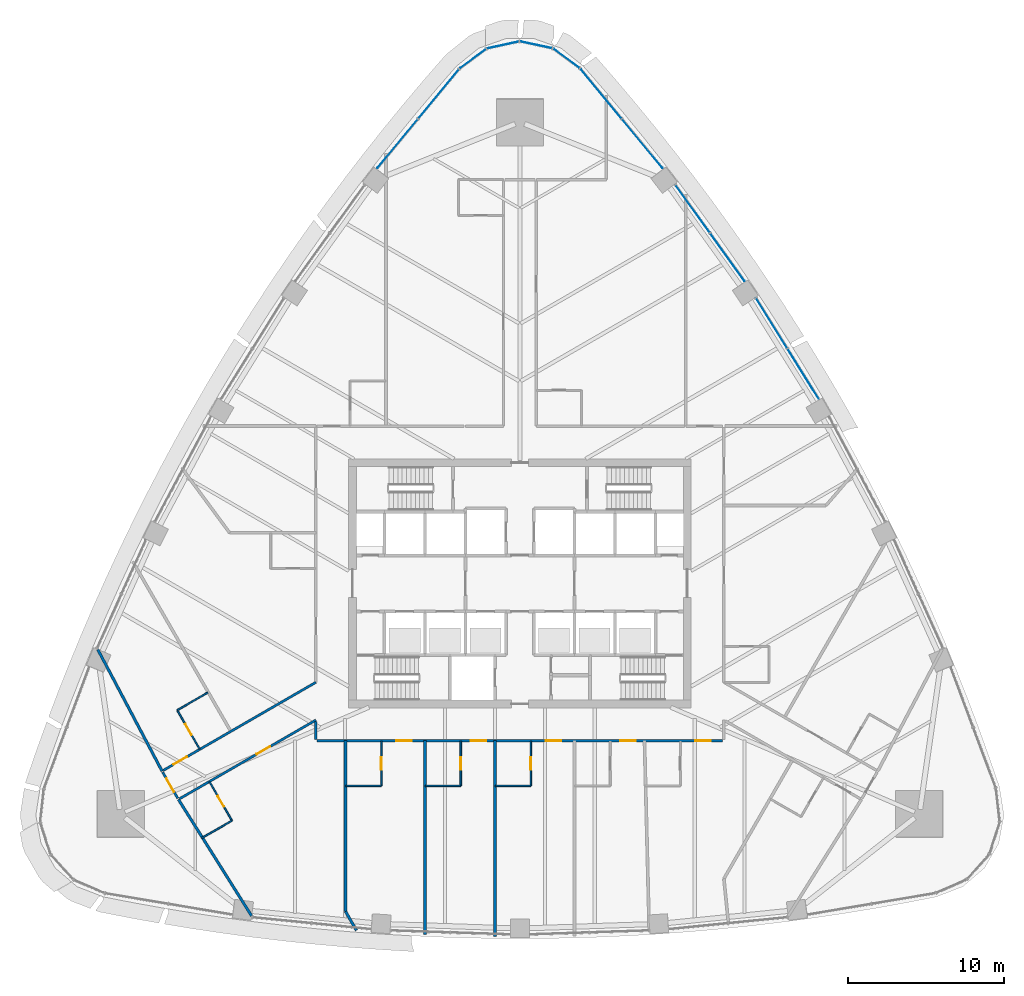
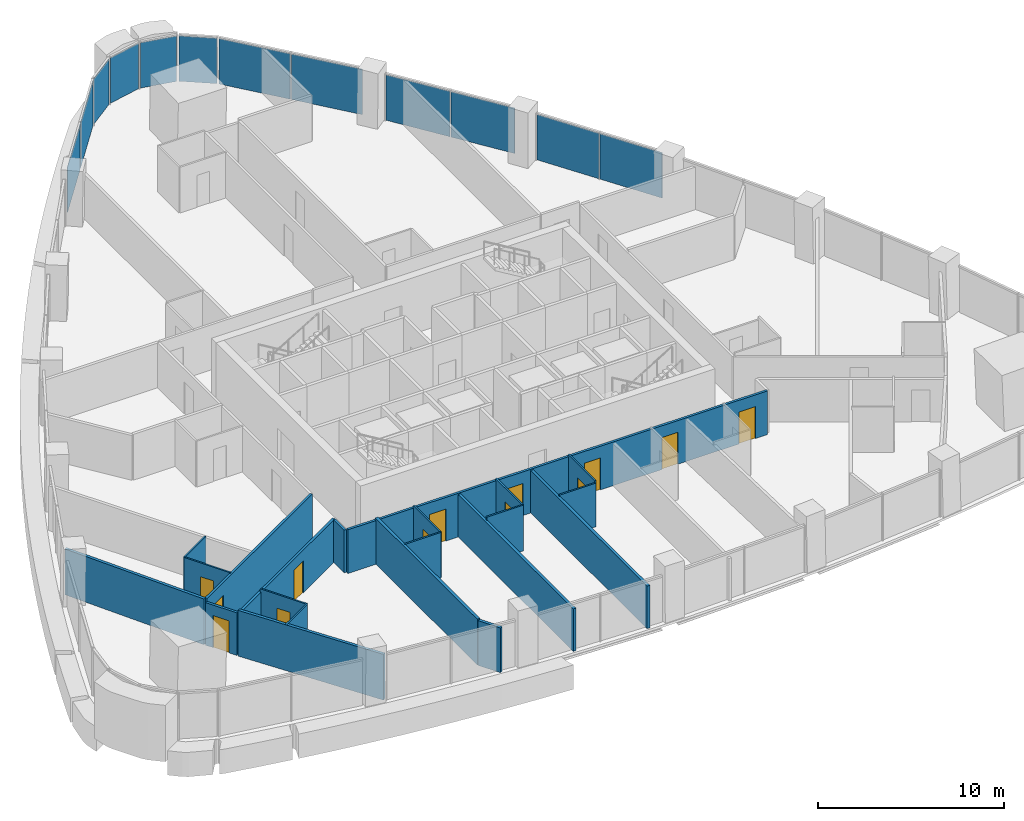
# One storey, part 9 of 17: 21 walls, 13 doors, 12 plates, 13 openings, 8 elements without a shape of their own.
"""IFC4 building model written with IfcOpenShell, lengths in metres."""

from ifc_helpers import new_model, si_unit, direction, frame, frame_2d, origin, origin_2d, place, context, subcontext, project, spatial, rectangle, extrude, material, layer, layer_set, type_object, element, fill, aggregate, save


model = new_model("IFC4")

# Units and contexts
model_context = context("Model", 3, precision=1e-05, world=origin(), true_north=direction((0.0, 1.0)))
body_context = subcontext(model_context, "Body", "Model", "MODEL_VIEW")
ifc_project = project(units=[si_unit("LENGTHUNIT", "METRE"), si_unit("AREAUNIT", "SQUARE_METRE"), si_unit("VOLUMEUNIT", "CUBIC_METRE"), si_unit("PLANEANGLEUNIT", "RADIAN"), si_unit("MASSUNIT", "GRAM", prefix="KILO")], contexts=[model_context])

# Site, building, storey
site_placement = place(None, origin())
site = spatial("IfcSite", under=ifc_project, at=site_placement, CompositionType="ELEMENT")
building_placement = place(site_placement, origin())
building = spatial("IfcBuilding", under=site, at=building_placement, Name="Sierra Prisma Convention Tower", CompositionType="ELEMENT")
storey_placement = place(building_placement, frame((0.0, 0.0, 99.800048828125)))
storey = spatial("IfcBuildingStorey", under=building, at=storey_placement, Name="L21", CompositionType="ELEMENT", Elevation=99.800048828125)

# Curtain wall, plates
ifc_material_1 = material(Name="Aluminium and glass curtain wall", Category="aluminium")
ifc_layer_1 = layer(ifc_material_1, 0.179931640625)
ifc_layer_set_1 = layer_set([ifc_layer_1], Name="CW-1 Plain shaft curtain wall")
curtain_wall_type = type_object("IfcCurtainWallType", Name="CW-1 Plain shaft curtain wall", PredefinedType="NOTDEFINED", material=ifc_layer_set_1)
curtain_wall_1_placement = place(storey_placement, origin())
curtain_wall_1 = element("IfcCurtainWall", 1, at=curtain_wall_1_placement, inside=storey, type_object=curtain_wall_type, Name="CW-1 NE4 L21", PredefinedType="NOTDEFINED")
ifc_material_2 = material(Name="Tinted glass bronze-grey IGU", Category="glass")
ifc_layer_2 = layer(ifc_material_2, 0.028076171875)
ifc_layer_set_2 = layer_set([ifc_layer_2], Name="CW-1 glass panel")
plate_type = type_object("IfcPlateType", Name="CW-1 glass panel", PredefinedType="CURTAIN_PANEL", material=ifc_layer_set_2)
plate_1_placement = place(storey_placement, frame((18.19189453125, 13.44921875, 0.0), z_axis=(0.0, 0.0, 1.0), x_axis=(-0.528549548722, 0.848902452904, 0.0)))
plate_1 = element("IfcPlate", 2, at=plate_1_placement, type_object=plate_type, Name="CW-1 panel NE4.1", PredefinedType="CURTAIN_PANEL", context=body_context, shape_type="SweptSolid", body=[
    extrude(rectangle(XDim=3.765380859375, YDim=0.028076171875, at=origin_2d()), origin(), (0.0, 0.0, 1.0), 2.97998046875),
])
plate_2_placement = place(storey_placement, frame((16.164794921875, 16.705078125, 0.0), z_axis=(0.0, 0.0, 1.0), x_axis=(-0.528549548722, 0.848902452904, 0.0)))
plate_2 = element("IfcPlate", 3, at=plate_2_placement, type_object=plate_type, Name="CW-1 panel NE4.2", PredefinedType="CURTAIN_PANEL", context=body_context, shape_type="SweptSolid", body=[
    extrude(rectangle(XDim=3.765380859375, YDim=0.028076171875, at=origin_2d()), origin(), (0.0, 0.0, 1.0), 2.97998046875),
])
aggregate(curtain_wall_1, [plate_1, plate_2])

curtain_wall_2_placement = place(storey_placement, origin())
curtain_wall_2 = element("IfcCurtainWall", 4, at=curtain_wall_2_placement, inside=storey, type_object=curtain_wall_type, Name="CW-1 NE5 L21", PredefinedType="NOTDEFINED")
plate_3_placement = place(storey_placement, frame((13.322998046875, 20.948974609375, 0.0), z_axis=(0.0, 0.0, 1.0), x_axis=(-0.583860324401, 0.811854125808, 0.0)))
plate_3 = element("IfcPlate", 5, at=plate_3_placement, type_object=plate_type, Name="CW-1 panel NE5.1", PredefinedType="CURTAIN_PANEL", context=body_context, shape_type="SweptSolid", body=[
    extrude(rectangle(XDim=3.75, YDim=0.028076171875, at=origin_2d()), origin(), (0.0, 0.0, 1.0), 2.97998046875),
])
plate_4_placement = place(storey_placement, frame((11.0927734375, 24.050048828125, 0.0), z_axis=(0.0, 0.0, 1.0), x_axis=(-0.583860324401, 0.811854125808, 0.0)))
plate_4 = element("IfcPlate", 6, at=plate_4_placement, type_object=plate_type, Name="CW-1 panel NE5.2", PredefinedType="CURTAIN_PANEL", context=body_context, shape_type="SweptSolid", body=[
    extrude(rectangle(XDim=3.75, YDim=0.028076171875, at=origin_2d()), origin(), (0.0, 0.0, 1.0), 2.97998046875),
])
aggregate(curtain_wall_2, [plate_3, plate_4])

curtain_wall_3_placement = place(storey_placement, origin())
curtain_wall_3 = element("IfcCurtainWall", 7, at=curtain_wall_3_placement, inside=storey, type_object=curtain_wall_type, Name="CW-1 NE6 L21", PredefinedType="NOTDEFINED")
plate_5_placement = place(storey_placement, frame((7.85888671875, 28.23828125, 0.0), z_axis=(0.0, 0.0, 1.0), x_axis=(-0.636583512601, 0.771207774523, 0.0)))
plate_5 = element("IfcPlate", 8, at=plate_5_placement, type_object=plate_type, Name="CW-1 panel NE6.1", PredefinedType="CURTAIN_PANEL", context=body_context, shape_type="SweptSolid", body=[
    extrude(rectangle(XDim=4.07177734375, YDim=0.028076171875, at=origin_2d()), origin(), (0.0, 0.0, 1.0), 2.97998046875),
])
plate_6_placement = place(storey_placement, frame((5.222412109375, 31.432373046875, 0.0), z_axis=(0.0, 0.0, 1.0), x_axis=(-0.636583512601, 0.771207774523, 0.0)))
plate_6 = element("IfcPlate", 9, at=plate_6_placement, type_object=plate_type, Name="CW-1 panel NE6.2", PredefinedType="CURTAIN_PANEL", context=body_context, shape_type="SweptSolid", body=[
    extrude(rectangle(XDim=4.07177734375, YDim=0.028076171875, at=origin_2d()), origin(), (0.0, 0.0, 1.0), 2.97998046875),
])
aggregate(curtain_wall_3, [plate_5, plate_6])

# Curtain wall, plate
curtain_wall_4_placement = place(storey_placement, origin())
curtain_wall_4 = element("IfcCurtainWall", 10, at=curtain_wall_4_placement, inside=storey, type_object=curtain_wall_type, Name="CW-1 N1 L21", PredefinedType="NOTDEFINED")
plate_7_placement = place(storey_placement, frame((3.005615234375, 33.702880859375, 0.0), z_axis=(0.0, 0.0, 1.0), x_axis=(-0.804725740037, 0.593646766455, 0.0)))
plate_7 = element("IfcPlate", 11, at=plate_7_placement, type_object=plate_type, Name="CW-1 panel N1.1", PredefinedType="CURTAIN_PANEL", context=body_context, shape_type="SweptSolid", body=[
    extrude(rectangle(XDim=2.037841796875, YDim=0.028076171875, at=origin_2d()), origin(), (0.0, 0.0, 1.0), 2.97998046875),
])
aggregate(curtain_wall_4, [plate_7])

curtain_wall_5_placement = place(storey_placement, origin())
curtain_wall_5 = element("IfcCurtainWall", 12, at=curtain_wall_5_placement, inside=storey, type_object=curtain_wall_type, Name="CW-1 N2 L21", PredefinedType="NOTDEFINED")
plate_8_placement = place(storey_placement, frame((1.064697265625, 34.578369140625, 0.0), z_axis=(0.0, 0.0, 1.0), x_axis=(-0.977641277793, 0.210279651786, 0.0)))
plate_8 = element("IfcPlate", 13, at=plate_8_placement, type_object=plate_type, Name="CW-1 panel N2.1", PredefinedType="CURTAIN_PANEL", context=body_context, shape_type="SweptSolid", body=[
    extrude(rectangle(XDim=2.037841796875, YDim=0.028076171875, at=origin_2d()), origin(), (0.0, 0.0, 1.0), 2.97998046875),
])
aggregate(curtain_wall_5, [plate_8])

curtain_wall_6_placement = place(storey_placement, origin())
curtain_wall_6 = element("IfcCurtainWall", 14, at=curtain_wall_6_placement, inside=storey, type_object=curtain_wall_type, Name="CW-1 N3 L21", PredefinedType="NOTDEFINED")
plate_9_placement = place(storey_placement, frame((-1.064697265625, 34.578369140625, 0.0), z_axis=(0.0, 0.0, 1.0), x_axis=(-0.977641277793, -0.210279651786, 0.0)))
plate_9 = element("IfcPlate", 15, at=plate_9_placement, type_object=plate_type, Name="CW-1 panel N3.1", PredefinedType="CURTAIN_PANEL", context=body_context, shape_type="SweptSolid", body=[
    extrude(rectangle(XDim=2.037841796875, YDim=0.028076171875, at=origin_2d()), origin(), (0.0, 0.0, 1.0), 2.97998046875),
])
aggregate(curtain_wall_6, [plate_9])

curtain_wall_7_placement = place(storey_placement, origin())
curtain_wall_7 = element("IfcCurtainWall", 16, at=curtain_wall_7_placement, inside=storey, type_object=curtain_wall_type, Name="CW-1 N4 L21", PredefinedType="NOTDEFINED")
plate_10_placement = place(storey_placement, frame((-3.005615234375, 33.702880859375, 0.0), z_axis=(0.0, 0.0, 1.0), x_axis=(-0.804725740037, -0.593646766455, 0.0)))
plate_10 = element("IfcPlate", 17, at=plate_10_placement, type_object=plate_type, Name="CW-1 panel N4.1", PredefinedType="CURTAIN_PANEL", context=body_context, shape_type="SweptSolid", body=[
    extrude(rectangle(XDim=2.037841796875, YDim=0.028076171875, at=origin_2d()), origin(), (0.0, 0.0, 1.0), 2.97998046875),
])
aggregate(curtain_wall_7, [plate_10])

# Curtain wall, plates
curtain_wall_8_placement = place(storey_placement, origin())
curtain_wall_8 = element("IfcCurtainWall", 18, at=curtain_wall_8_placement, inside=storey, type_object=curtain_wall_type, Name="CW-1 NW1 L21", PredefinedType="NOTDEFINED")
plate_11_placement = place(storey_placement, frame((-5.222412109375, 31.432373046875, 0.0), z_axis=(0.0, 0.0, 1.0), x_axis=(-0.636583512601, -0.771207774523, 0.0)))
plate_11 = element("IfcPlate", 19, at=plate_11_placement, type_object=plate_type, Name="CW-1 panel NW1.1", PredefinedType="CURTAIN_PANEL", context=body_context, shape_type="SweptSolid", body=[
    extrude(rectangle(XDim=4.07177734375, YDim=0.028076171875, at=origin_2d()), origin(), (0.0, 0.0, 1.0), 2.97998046875),
])
plate_12_placement = place(storey_placement, frame((-7.85888671875, 28.23828125, 0.0), z_axis=(0.0, 0.0, 1.0), x_axis=(-0.636583512601, -0.771207774523, 0.0)))
plate_12 = element("IfcPlate", 20, at=plate_12_placement, type_object=plate_type, Name="CW-1 panel NW1.2", PredefinedType="CURTAIN_PANEL", context=body_context, shape_type="SweptSolid", body=[
    extrude(rectangle(XDim=4.07177734375, YDim=0.028076171875, at=origin_2d()), origin(), (0.0, 0.0, 1.0), 2.97998046875),
])
aggregate(curtain_wall_8, [plate_11, plate_12])

# Wall, opening, door
ifc_material_3 = material(Name="Gypsum board partition", Category="gypsum")
ifc_layer_3 = layer(ifc_material_3, 0.10009765625)
ifc_layer_set_3 = layer_set([ifc_layer_3], Name="Bathroom partition 100")
wall_type_1 = type_object("IfcWallType", Name="Bathroom partition 100", PredefinedType="PARTITIONING", material=ifc_layer_set_3)
wall_1_placement = place(storey_placement, frame((-20.570068359375, -10.629150390625, 0.0), z_axis=(0.0, 0.0, 1.0), x_axis=(-0.499999802827, 0.866025517622, 0.0)))
wall_1 = element("IfcWall", 21, at=wall_1_placement, inside=storey, type_object=wall_type_1, Name="Partition L21 bath 1", PredefinedType="PARTITIONING", context=body_context, shape_type="SweptSolid", body=[
    extrude(rectangle(XDim=2.8701171875, YDim=0.10009765625, at=frame_2d((1.43505859375, 0.0))), origin(), (0.0, 0.0, 1.0), 3.0),
])
opening_1_placement = place(wall_1_placement, frame((1.034912109375, 0.0, 0.0)))
opening_1 = element("IfcOpeningElement", 22, at=opening_1_placement, cuts=wall_1, Name="Opening L21-D005", PredefinedType="OPENING", context=body_context, shape_type="SweptSolid", body=[
    extrude(rectangle(XDim=0.800048828125, YDim=2.10009765625, at=frame_2d((0.39990234375, 1.050048828125))), frame((0.0, 0.050048828125, 0.0), z_axis=(0.0, -1.0, 0.0), x_axis=(1.0, 0.0, 0.0)), (0.0, 0.0, 1.0), 0.10009765625),
])
ifc_material_4 = material(Name="Solid core timber door leaf", Category="wood")
door_type_1 = type_object("IfcDoorType", Name="Door 800x2100 plain", OperationType="SINGLE_SWING_LEFT", PredefinedType="DOOR", material=ifc_material_4)
door_1_placement = place(opening_1_placement, origin())
door_1 = element("IfcDoor", 23, at=door_1_placement, inside=storey, type_object=door_type_1, Name="Door L21 13", OperationType="SINGLE_SWING_LEFT", OverallHeight=2.10009765625, OverallWidth=0.800048828125, PredefinedType="DOOR", context=body_context, shape_type="SweptSolid", body=[
    extrude(rectangle(XDim=0.800048828125, YDim=2.10009765625, at=frame_2d((0.39990234375, 1.050048828125))), frame((0.0, 0.02490234375, 0.0), z_axis=(0.0, -1.0, 0.0), x_axis=(1.0, 0.0, 0.0)), (0.0, 0.0, 1.0), 0.050048828125),
])
fill(opening_1, door_1)

# Wall
wall_2_placement = place(storey_placement, frame((-22.005126953125, -8.1435546875, 0.0), z_axis=(0.0, 0.0, 1.0), x_axis=(0.866017224141, 0.500014167291, 0.0)))
element("IfcWall", 24, at=wall_2_placement, inside=storey, type_object=wall_type_1, Name="Partition L21 bath 2", PredefinedType="PARTITIONING", context=body_context, shape_type="SweptSolid", body=[
    extrude(rectangle(XDim=2.27001953125, YDim=0.10009765625, at=frame_2d((1.135009765625, 0.0))), origin(), (0.0, 0.0, 1.0), 3.0),
])

# Wall, opening, door
wall_3_placement = place(storey_placement, frame((-19.923095703125, -12.749755859375, 0.0), z_axis=(0.0, 0.0, 1.0), x_axis=(0.500036638401, -0.866004249561, 0.0)))
wall_3 = element("IfcWall", 25, at=wall_3_placement, inside=storey, type_object=wall_type_1, Name="Partition L21 bath 3", PredefinedType="PARTITIONING", context=body_context, shape_type="SweptSolid", body=[
    extrude(rectangle(XDim=2.869873046875, YDim=0.10009765625, at=frame_2d((1.43505859375, 0.0))), origin(), (0.0, 0.0, 1.0), 3.0),
])
opening_2_placement = place(wall_3_placement, frame((1.034912109375, 0.0, 0.0)))
opening_2 = element("IfcOpeningElement", 26, at=opening_2_placement, cuts=wall_3, Name="Opening L21-D006", PredefinedType="OPENING", context=body_context, shape_type="SweptSolid", body=[
    extrude(rectangle(XDim=0.800048828125, YDim=2.10009765625, at=frame_2d((0.39990234375, 1.050048828125))), frame((0.0, 0.050048828125, 0.0), z_axis=(0.0, -1.0, 0.0), x_axis=(1.0, 0.0, 0.0)), (0.0, 0.0, 1.0), 0.10009765625),
])
door_2_placement = place(opening_2_placement, origin())
door_2 = element("IfcDoor", 27, at=door_2_placement, inside=storey, type_object=door_type_1, Name="Door L21 16", OperationType="SINGLE_SWING_LEFT", OverallHeight=2.10009765625, OverallWidth=0.800048828125, PredefinedType="DOOR", context=body_context, shape_type="SweptSolid", body=[
    extrude(rectangle(XDim=0.800048828125, YDim=2.10009765625, at=frame_2d((0.39990234375, 1.050048828125))), frame((0.0, 0.02490234375, 0.0), z_axis=(0.0, -1.0, 0.0), x_axis=(1.0, 0.0, 0.0)), (0.0, 0.0, 1.0), 0.050048828125),
])
fill(opening_2, door_2)

# Wall
wall_4_placement = place(storey_placement, frame((-18.488037109375, -15.235107421875, 0.0), z_axis=(0.0, 0.0, 1.0), x_axis=(-0.866044110172, -0.499967598186, 0.0)))
element("IfcWall", 28, at=wall_4_placement, inside=storey, type_object=wall_type_1, Name="Partition L21 bath 4", PredefinedType="PARTITIONING", context=body_context, shape_type="SweptSolid", body=[
    extrude(rectangle(XDim=2.270263671875, YDim=0.10009765625, at=frame_2d((1.13525390625, 0.0))), origin(), (0.0, 0.0, 1.0), 3.0),
])

# Wall, opening, door
wall_5_placement = place(storey_placement, frame((-8.89990234375, -10.1298828125, 0.0), z_axis=(0.0, 0.0, 1.0), x_axis=(0.0, -1.0, 0.0)))
wall_5 = element("IfcWall", 29, at=wall_5_placement, inside=storey, type_object=wall_type_1, Name="Partition L21 bath 7", PredefinedType="PARTITIONING", context=body_context, shape_type="SweptSolid", body=[
    extrude(rectangle(XDim=2.8701171875, YDim=0.10009765625, at=frame_2d((1.43505859375, 0.0))), origin(), (0.0, 0.0, 1.0), 3.0),
])
opening_3_placement = place(wall_5_placement, frame((1.034912109375, 0.0, 0.0)))
opening_3 = element("IfcOpeningElement", 30, at=opening_3_placement, cuts=wall_5, Name="Opening L21-D007", PredefinedType="OPENING", context=body_context, shape_type="SweptSolid", body=[
    extrude(rectangle(XDim=0.800048828125, YDim=2.10009765625, at=frame_2d((0.39990234375, 1.050048828125))), frame((0.0, 0.050048828125, 0.0), z_axis=(0.0, -1.0, 0.0), x_axis=(1.0, 0.0, 0.0)), (0.0, 0.0, 1.0), 0.10009765625),
])
door_3_placement = place(opening_3_placement, origin())
door_3 = element("IfcDoor", 31, at=door_3_placement, inside=storey, type_object=door_type_1, Name="Door L21 18", OperationType="SINGLE_SWING_RIGHT", OverallHeight=2.10009765625, OverallWidth=0.800048828125, PredefinedType="DOOR", context=body_context, shape_type="SweptSolid", body=[
    extrude(rectangle(XDim=0.800048828125, YDim=2.10009765625, at=frame_2d((0.39990234375, 1.050048828125))), frame((0.0, 0.02490234375, 0.0), z_axis=(0.0, -1.0, 0.0), x_axis=(1.0, 0.0, 0.0)), (0.0, 0.0, 1.0), 0.050048828125),
])
fill(opening_3, door_3)

# Wall
wall_6_placement = place(storey_placement, frame((-8.89990234375, -13.0, 0.0), z_axis=(0.0, 0.0, 1.0), x_axis=(-1.0, 0.0, 0.0)))
element("IfcWall", 32, at=wall_6_placement, inside=storey, type_object=wall_type_1, Name="Partition L21 bath 8", PredefinedType="PARTITIONING", context=body_context, shape_type="SweptSolid", body=[
    extrude(rectangle(XDim=2.27001953125, YDim=0.10009765625, at=frame_2d((1.135009765625, 0.0))), origin(), (0.0, 0.0, 1.0), 3.0),
])

# Wall, opening, door
wall_7_placement = place(storey_placement, frame((-3.800048828125, -10.1298828125, 0.0), z_axis=(0.0, 0.0, 1.0), x_axis=(0.0, -1.0, 0.0)))
wall_7 = element("IfcWall", 33, at=wall_7_placement, inside=storey, type_object=wall_type_1, Name="Partition L21 bath 11", PredefinedType="PARTITIONING", context=body_context, shape_type="SweptSolid", body=[
    extrude(rectangle(XDim=2.8701171875, YDim=0.10009765625, at=frame_2d((1.43505859375, 0.0))), origin(), (0.0, 0.0, 1.0), 3.0),
])
opening_4_placement = place(wall_7_placement, frame((1.034912109375, 0.0, 0.0)))
opening_4 = element("IfcOpeningElement", 34, at=opening_4_placement, cuts=wall_7, Name="Opening L21-D008", PredefinedType="OPENING", context=body_context, shape_type="SweptSolid", body=[
    extrude(rectangle(XDim=0.800048828125, YDim=2.10009765625, at=frame_2d((0.39990234375, 1.050048828125))), frame((0.0, 0.050048828125, 0.0), z_axis=(0.0, -1.0, 0.0), x_axis=(1.0, 0.0, 0.0)), (0.0, 0.0, 1.0), 0.10009765625),
])
door_4_placement = place(opening_4_placement, origin())
door_4 = element("IfcDoor", 35, at=door_4_placement, inside=storey, type_object=door_type_1, Name="Door L21 20", OperationType="SINGLE_SWING_LEFT", OverallHeight=2.10009765625, OverallWidth=0.800048828125, PredefinedType="DOOR", context=body_context, shape_type="SweptSolid", body=[
    extrude(rectangle(XDim=0.800048828125, YDim=2.10009765625, at=frame_2d((0.39990234375, 1.050048828125))), frame((0.0, 0.02490234375, 0.0), z_axis=(0.0, -1.0, 0.0), x_axis=(1.0, 0.0, 0.0)), (0.0, 0.0, 1.0), 0.050048828125),
])
fill(opening_4, door_4)

# Wall
wall_8_placement = place(storey_placement, frame((-3.800048828125, -13.0, 0.0), z_axis=(0.0, 0.0, 1.0), x_axis=(-1.0, 0.0, 0.0)))
element("IfcWall", 36, at=wall_8_placement, inside=storey, type_object=wall_type_1, Name="Partition L21 bath 12", PredefinedType="PARTITIONING", context=body_context, shape_type="SweptSolid", body=[
    extrude(rectangle(XDim=2.27001953125, YDim=0.10009765625, at=frame_2d((1.135009765625, 0.0))), origin(), (0.0, 0.0, 1.0), 3.0),
])

# Wall, opening, door
wall_9_placement = place(storey_placement, frame((0.699951171875, -10.1298828125, 0.0), z_axis=(0.0, 0.0, 1.0), x_axis=(0.0, -1.0, 0.0)))
wall_9 = element("IfcWall", 37, at=wall_9_placement, inside=storey, type_object=wall_type_1, Name="Partition L21 bath 13", PredefinedType="PARTITIONING", context=body_context, shape_type="SweptSolid", body=[
    extrude(rectangle(XDim=2.8701171875, YDim=0.10009765625, at=frame_2d((1.43505859375, 0.0))), origin(), (0.0, 0.0, 1.0), 3.0),
])
opening_5_placement = place(wall_9_placement, frame((1.034912109375, 0.0, 0.0)))
opening_5 = element("IfcOpeningElement", 38, at=opening_5_placement, cuts=wall_9, Name="Opening L21-D009", PredefinedType="OPENING", context=body_context, shape_type="SweptSolid", body=[
    extrude(rectangle(XDim=0.800048828125, YDim=2.10009765625, at=frame_2d((0.39990234375, 1.050048828125))), frame((0.0, 0.050048828125, 0.0), z_axis=(0.0, -1.0, 0.0), x_axis=(1.0, 0.0, 0.0)), (0.0, 0.0, 1.0), 0.10009765625),
])
door_5_placement = place(opening_5_placement, origin())
door_5 = element("IfcDoor", 39, at=door_5_placement, inside=storey, type_object=door_type_1, Name="Door L21 22", OperationType="SINGLE_SWING_LEFT", OverallHeight=2.10009765625, OverallWidth=0.800048828125, PredefinedType="DOOR", context=body_context, shape_type="SweptSolid", body=[
    extrude(rectangle(XDim=0.800048828125, YDim=2.10009765625, at=frame_2d((0.39990234375, 1.050048828125))), frame((0.0, 0.02490234375, 0.0), z_axis=(0.0, -1.0, 0.0), x_axis=(1.0, 0.0, 0.0)), (0.0, 0.0, 1.0), 0.050048828125),
])
fill(opening_5, door_5)

# Wall
wall_10_placement = place(storey_placement, frame((0.699951171875, -13.0, 0.0), z_axis=(0.0, 0.0, 1.0), x_axis=(-1.0, 0.0, 0.0)))
element("IfcWall", 40, at=wall_10_placement, inside=storey, type_object=wall_type_1, Name="Partition L21 bath 14", PredefinedType="PARTITIONING", context=body_context, shape_type="SweptSolid", body=[
    extrude(rectangle(XDim=2.27001953125, YDim=0.10009765625, at=frame_2d((1.135009765625, 0.0))), origin(), (0.0, 0.0, 1.0), 2.866943359375),
])

# Wall, opening, door
ifc_material_5 = material(Name="Gypsum board partition", Category="gypsum")
ifc_layer_4 = layer(ifc_material_5, 0.14990234375)
ifc_layer_set_4 = layer_set([ifc_layer_4], Name="Corridor wall 150 gypsum EI 60")
wall_type_2 = type_object("IfcWallType", Name="Corridor wall 150 gypsum EI 60", PredefinedType="PARTITIONING", material=ifc_layer_set_4)
wall_11_placement = place(storey_placement, frame((-22.93994140625, -12.124267578125, 0.0), z_axis=(0.0, 0.0, 1.0), x_axis=(0.499969367985, -0.866043088465, 0.0)))
wall_11 = element("IfcWall", 41, at=wall_11_placement, inside=storey, type_object=wall_type_2, Name="Partition L21 corr 1", PredefinedType="PARTITIONING", context=body_context, shape_type="SweptSolid", body=[
    extrude(rectangle(XDim=1.93994140625, YDim=0.14990234375, at=frame_2d((0.969970703125, 0.0))), origin(), (0.0, 0.0, 1.0), 2.796875),
])
opening_6_placement = place(wall_11_placement, frame((0.469970703125, 0.0, 0.0)))
opening_6 = element("IfcOpeningElement", 42, at=opening_6_placement, cuts=wall_11, Name="Opening L21-D046", PredefinedType="OPENING", context=body_context, shape_type="SweptSolid", body=[
    extrude(rectangle(XDim=1.0, YDim=2.10009765625, at=frame_2d((0.5, 1.050048828125))), frame((0.0, 0.074951171875, 0.0), z_axis=(0.0, -1.0, 0.0), x_axis=(1.0, 0.0, 0.0)), (0.0, 0.0, 1.0), 0.14990234375),
])
ifc_material_6 = material(Name="Steel fire door leaf", Category="steel")
door_type_2 = type_object("IfcDoorType", Name="Door 1000x2100 FD30S", OperationType="SINGLE_SWING_LEFT", PredefinedType="DOOR", material=ifc_material_6)
door_6_placement = place(opening_6_placement, origin())
door_6 = element("IfcDoor", 43, at=door_6_placement, inside=storey, type_object=door_type_2, Name="Door L21 14", OperationType="SINGLE_SWING_LEFT", OverallHeight=2.10009765625, OverallWidth=1.0, PredefinedType="DOOR", context=body_context, shape_type="SweptSolid", body=[
    extrude(rectangle(XDim=1.0, YDim=2.10009765625, at=frame_2d((0.5, 1.050048828125))), frame((0.0, 0.02490234375, 0.0), z_axis=(0.0, -1.0, 0.0), x_axis=(1.0, 0.0, 0.0)), (0.0, 0.0, 1.0), 0.050048828125),
])
fill(opening_6, door_6)

wall_12_placement = place(storey_placement, frame((-13.10009765625, -6.350830078125, 0.0), z_axis=(0.0, 0.0, 1.0), x_axis=(-0.866018341403, -0.500012232204, 0.0)))
wall_12 = element("IfcWall", 44, at=wall_12_placement, inside=storey, type_object=wall_type_2, Name="Partition L21 corr 3", PredefinedType="PARTITIONING", context=body_context, shape_type="SweptSolid", body=[
    extrude(rectangle(XDim=11.328369140625, YDim=0.14990234375, at=frame_2d((5.6640625, 0.0))), origin(), (0.0, 0.0, 1.0), 2.947021484375),
])
opening_7_placement = place(wall_12_placement, frame((9.55859375, 0.0, 0.0)))
opening_7 = element("IfcOpeningElement", 45, at=opening_7_placement, cuts=wall_12, Name="Opening L21-D045", PredefinedType="OPENING", context=body_context, shape_type="SweptSolid", body=[
    extrude(rectangle(XDim=1.0, YDim=2.10009765625, at=frame_2d((0.5, 1.050048828125))), frame((0.0, 0.074951171875, 0.0), z_axis=(0.0, -1.0, 0.0), x_axis=(1.0, 0.0, 0.0)), (0.0, 0.0, 1.0), 0.14990234375),
])
door_7_placement = place(opening_7_placement, origin())
door_7 = element("IfcDoor", 46, at=door_7_placement, inside=storey, type_object=door_type_2, Name="Door L21 12", OperationType="SINGLE_SWING_LEFT", OverallHeight=2.10009765625, OverallWidth=1.0, PredefinedType="DOOR", context=body_context, shape_type="SweptSolid", body=[
    extrude(rectangle(XDim=1.0, YDim=2.10009765625, at=frame_2d((0.5, 1.050048828125))), frame((0.0, 0.02490234375, 0.0), z_axis=(0.0, -1.0, 0.0), x_axis=(1.0, 0.0, 0.0)), (0.0, 0.0, 1.0), 0.050048828125),
])
fill(opening_7, door_7)

wall_13_placement = place(storey_placement, frame((-21.860595703125, -13.833740234375, 0.0), z_axis=(0.0, 0.0, 1.0), x_axis=(0.866015577098, 0.500017019934, 0.0)))
wall_13 = element("IfcWall", 47, at=wall_13_placement, inside=storey, type_object=wall_type_2, Name="Partition L21 corr 4", PredefinedType="PARTITIONING", context=body_context, shape_type="SweptSolid", body=[
    extrude(rectangle(XDim=10.115966796875, YDim=0.14990234375, at=frame_2d((5.05810546875, 0.0))), origin(), (0.0, 0.0, 1.0), 2.796875),
])
opening_8_placement = place(wall_13_placement, frame((5.718017578125, 0.0, 0.0)))
opening_8 = element("IfcOpeningElement", 48, at=opening_8_placement, cuts=wall_13, Name="Opening L21-D047", PredefinedType="OPENING", context=body_context, shape_type="SweptSolid", body=[
    extrude(rectangle(XDim=1.0, YDim=2.10009765625, at=frame_2d((0.5, 1.050048828125))), frame((0.0, 0.074951171875, 0.0), z_axis=(0.0, -1.0, 0.0), x_axis=(1.0, 0.0, 0.0)), (0.0, 0.0, 1.0), 0.14990234375),
])
door_8_placement = place(opening_8_placement, origin())
door_8 = element("IfcDoor", 49, at=door_8_placement, inside=storey, type_object=door_type_2, Name="Door L21 15", OperationType="SINGLE_SWING_LEFT", OverallHeight=2.10009765625, OverallWidth=1.0, PredefinedType="DOOR", context=body_context, shape_type="SweptSolid", body=[
    extrude(rectangle(XDim=1.0, YDim=2.10009765625, at=frame_2d((0.5, 1.050048828125))), frame((0.0, 0.02490234375, 0.0), z_axis=(0.0, -1.0, 0.0), x_axis=(1.0, 0.0, 0.0)), (0.0, 0.0, 1.0), 0.050048828125),
])
fill(opening_8, door_8)

# Wall
wall_14_placement = place(storey_placement, frame((-13.10009765625, -8.8671875, 0.0), z_axis=(0.0, 0.0, 1.0), x_axis=(0.0, -1.0, 0.0)))
element("IfcWall", 50, at=wall_14_placement, inside=storey, type_object=wall_type_2, Name="Partition L21 corr 5", PredefinedType="PARTITIONING", context=body_context, shape_type="SweptSolid", body=[
    extrude(rectangle(XDim=1.15283203125, YDim=0.14990234375, at=frame_2d((0.576416015625, 0.0))), origin(), (0.0, 0.0, 1.0), 2.796875),
])

# Wall, openings, doors
wall_15_placement = place(storey_placement, frame((-13.02001953125, -10.10009765625, 0.0), z_axis=(0.0, 0.0, 1.0), x_axis=(1.0, 0.0, 0.0)))
wall_15 = element("IfcWall", 51, at=wall_15_placement, inside=storey, type_object=wall_type_2, Name="Partition L21 corr 6", PredefinedType="PARTITIONING", context=body_context, shape_type="SweptSolid", body=[
    extrude(rectangle(XDim=26.0400390625, YDim=0.14990234375, at=frame_2d((13.02001953125, 0.0))), origin(), (0.0, 0.0, 1.0), 2.866943359375),
])
opening_9_placement = place(wall_15_placement, frame((5.070068359375, 0.0, 0.0)))
opening_9 = element("IfcOpeningElement", 52, at=opening_9_placement, cuts=wall_15, Name="Opening L21-D048", PredefinedType="OPENING", context=body_context, shape_type="SweptSolid", body=[
    extrude(rectangle(XDim=1.0, YDim=2.10009765625, at=frame_2d((0.5, 1.050048828125))), frame((0.0, 0.074951171875, 0.0), z_axis=(0.0, -1.0, 0.0), x_axis=(1.0, 0.0, 0.0)), (0.0, 0.0, 1.0), 0.14990234375),
])
opening_10_placement = place(wall_15_placement, frame((9.8701171875, 0.0, 0.0)))
opening_10 = element("IfcOpeningElement", 53, at=opening_10_placement, cuts=wall_15, Name="Opening L21-D049", PredefinedType="OPENING", context=body_context, shape_type="SweptSolid", body=[
    extrude(rectangle(XDim=1.0, YDim=2.10009765625, at=frame_2d((0.5, 1.050048828125))), frame((0.0, 0.074951171875, 0.0), z_axis=(0.0, -1.0, 0.0), x_axis=(1.0, 0.0, 0.0)), (0.0, 0.0, 1.0), 0.14990234375),
])
opening_11_placement = place(wall_15_placement, frame((14.669921875, 0.0, 0.0)))
opening_11 = element("IfcOpeningElement", 54, at=opening_11_placement, cuts=wall_15, Name="Opening L21-D050", PredefinedType="OPENING", context=body_context, shape_type="SweptSolid", body=[
    extrude(rectangle(XDim=1.0, YDim=2.10009765625, at=frame_2d((0.5, 1.050048828125))), frame((0.0, 0.074951171875, 0.0), z_axis=(0.0, -1.0, 0.0), x_axis=(1.0, 0.0, 0.0)), (0.0, 0.0, 1.0), 0.14990234375),
])
opening_12_placement = place(wall_15_placement, frame((19.469970703125, 0.0, 0.0)))
opening_12 = element("IfcOpeningElement", 55, at=opening_12_placement, cuts=wall_15, Name="Opening L21-D051", PredefinedType="OPENING", context=body_context, shape_type="SweptSolid", body=[
    extrude(rectangle(XDim=1.0, YDim=2.10009765625, at=frame_2d((0.5, 1.050048828125))), frame((0.0, 0.074951171875, 0.0), z_axis=(0.0, -1.0, 0.0), x_axis=(1.0, 0.0, 0.0)), (0.0, 0.0, 1.0), 0.14990234375),
])
opening_13_placement = place(wall_15_placement, frame((24.27001953125, 0.0, 0.0)))
opening_13 = element("IfcOpeningElement", 56, at=opening_13_placement, cuts=wall_15, Name="Opening L21-D052", PredefinedType="OPENING", context=body_context, shape_type="SweptSolid", body=[
    extrude(rectangle(XDim=1.0, YDim=2.10009765625, at=frame_2d((0.5, 1.050048828125))), frame((0.0, 0.074951171875, 0.0), z_axis=(0.0, -1.0, 0.0), x_axis=(1.0, 0.0, 0.0)), (0.0, 0.0, 1.0), 0.14990234375),
])
door_9_placement = place(opening_9_placement, origin())
door_9 = element("IfcDoor", 57, at=door_9_placement, inside=storey, type_object=door_type_2, Name="Door L21 17", OperationType="SINGLE_SWING_LEFT", OverallHeight=2.10009765625, OverallWidth=1.0, PredefinedType="DOOR", context=body_context, shape_type="SweptSolid", body=[
    extrude(rectangle(XDim=1.0, YDim=2.10009765625, at=frame_2d((0.5, 1.050048828125))), frame((0.0, 0.02490234375, 0.0), z_axis=(0.0, -1.0, 0.0), x_axis=(1.0, 0.0, 0.0)), (0.0, 0.0, 1.0), 0.050048828125),
])
fill(opening_9, door_9)
door_10_placement = place(opening_10_placement, origin())
door_10 = element("IfcDoor", 58, at=door_10_placement, inside=storey, type_object=door_type_2, Name="Door L21 19", OperationType="SINGLE_SWING_LEFT", OverallHeight=2.10009765625, OverallWidth=1.0, PredefinedType="DOOR", context=body_context, shape_type="SweptSolid", body=[
    extrude(rectangle(XDim=1.0, YDim=2.10009765625, at=frame_2d((0.5, 1.050048828125))), frame((0.0, 0.02490234375, 0.0), z_axis=(0.0, -1.0, 0.0), x_axis=(1.0, 0.0, 0.0)), (0.0, 0.0, 1.0), 0.050048828125),
])
fill(opening_10, door_10)
door_11_placement = place(opening_11_placement, origin())
door_11 = element("IfcDoor", 59, at=door_11_placement, inside=storey, type_object=door_type_2, Name="Door L21 21", OperationType="SINGLE_SWING_LEFT", OverallHeight=2.10009765625, OverallWidth=1.0, PredefinedType="DOOR", context=body_context, shape_type="SweptSolid", body=[
    extrude(rectangle(XDim=1.0, YDim=2.10009765625, at=frame_2d((0.5, 1.050048828125))), frame((0.0, 0.02490234375, 0.0), z_axis=(0.0, -1.0, 0.0), x_axis=(1.0, 0.0, 0.0)), (0.0, 0.0, 1.0), 0.050048828125),
])
fill(opening_11, door_11)
door_12_placement = place(opening_12_placement, origin())
door_12 = element("IfcDoor", 60, at=door_12_placement, inside=storey, type_object=door_type_2, Name="Door L21 23", OperationType="SINGLE_SWING_LEFT", OverallHeight=2.10009765625, OverallWidth=1.0, PredefinedType="DOOR", context=body_context, shape_type="SweptSolid", body=[
    extrude(rectangle(XDim=1.0, YDim=2.10009765625, at=frame_2d((0.5, 1.050048828125))), frame((0.0, 0.02490234375, 0.0), z_axis=(0.0, -1.0, 0.0), x_axis=(1.0, 0.0, 0.0)), (0.0, 0.0, 1.0), 0.050048828125),
])
fill(opening_12, door_12)
door_13_placement = place(opening_13_placement, origin())
door_13 = element("IfcDoor", 61, at=door_13_placement, inside=storey, type_object=door_type_2, Name="Door L21 25", OperationType="SINGLE_SWING_RIGHT", OverallHeight=2.10009765625, OverallWidth=1.0, PredefinedType="DOOR", context=body_context, shape_type="SweptSolid", body=[
    extrude(rectangle(XDim=1.0, YDim=2.10009765625, at=frame_2d((0.5, 1.050048828125))), frame((0.0, 0.02490234375, 0.0), z_axis=(0.0, -1.0, 0.0), x_axis=(1.0, 0.0, 0.0)), (0.0, 0.0, 1.0), 0.050048828125),
])
fill(opening_13, door_13)

# Walls
ifc_material_7 = material(Name="Acoustic gypsum board partition", Category="gypsum")
ifc_layer_5 = layer(ifc_material_7, 0.175048828125)
ifc_layer_set_5 = layer_set([ifc_layer_5], Name="Guest room party wall 175 acoustic EI 60")
wall_type_3 = type_object("IfcWallType", Name="Guest room party wall 175 acoustic EI 60", PredefinedType="PARTITIONING", material=ifc_layer_set_5)
wall_16_placement = place(storey_placement, frame((-22.97998046875, -12.05517578125, 0.0), z_axis=(0.0, 0.0, 1.0), x_axis=(-0.467349289871, 0.884072757898, 0.0)))
element("IfcWall", 62, at=wall_16_placement, inside=storey, type_object=wall_type_3, Name="Partition L21 hparty 1", PredefinedType="PARTITIONING", context=body_context, shape_type="SweptSolid", body=[
    extrude(rectangle(XDim=8.834716796875, YDim=0.175048828125, at=frame_2d((4.41748046875, 0.0))), origin(), (0.0, 0.0, 1.0), 3.0),
])
wall_17_placement = place(storey_placement, frame((-17.23046875, -21.354736328125, 0.0), z_axis=(0.0, 0.0, 1.0), x_axis=(-0.53194005048, 0.846782016044, 0.0)))
element("IfcWall", 63, at=wall_17_placement, inside=storey, type_object=wall_type_3, Name="Partition L21 hparty 3", PredefinedType="PARTITIONING", context=body_context, shape_type="SweptSolid", body=[
    extrude(rectangle(XDim=8.83447265625, YDim=0.175048828125, at=frame_2d((4.417236328125, 0.0))), origin(), (0.0, 0.0, 1.0), 3.0),
])
wall_18_placement = place(storey_placement, frame((-11.199951171875, -10.10009765625, 0.0), z_axis=(0.0, 0.0, 1.0), x_axis=(0.0, -1.0, 0.0)))
element("IfcWall", 64, at=wall_18_placement, inside=storey, type_object=wall_type_3, Name="Partition L21 hparty 7", PredefinedType="PARTITIONING", context=body_context, shape_type="SweptSolid", body=[
    extrude(rectangle(XDim=10.966552734375, YDim=0.175048828125, at=frame_2d((5.4833984375, 0.0))), origin(), (0.0, 0.0, 1.0), 3.0),
])
wall_19_placement = place(storey_placement, frame((-11.199951171875, -21.066650390625, 0.0), z_axis=(0.0, 0.0, 1.0), x_axis=(0.500068863623, -0.865985641702, 0.0)))
element("IfcWall", 65, at=wall_19_placement, inside=storey, type_object=wall_type_3, Name="Partition L21 hparty 8", PredefinedType="PARTITIONING", context=body_context, shape_type="SweptSolid", body=[
    extrude(rectangle(XDim=1.403076171875, YDim=0.175048828125, at=frame_2d((0.70166015625, 0.0))), origin(), (0.0, 0.0, 1.0), 2.933837890625),
])
wall_20_placement = place(storey_placement, frame((-6.10009765625, -10.10009765625, 0.0), z_axis=(0.0, 0.0, 1.0), x_axis=(0.0, -1.0, 0.0)))
element("IfcWall", 66, at=wall_20_placement, inside=storey, type_object=wall_type_3, Name="Partition L21 hparty 10", PredefinedType="PARTITIONING", context=body_context, shape_type="SweptSolid", body=[
    extrude(rectangle(XDim=12.452392578125, YDim=0.175048828125, at=frame_2d((6.22607421875, 0.0))), origin(), (0.0, 0.0, 1.0), 2.783935546875),
])
wall_21_placement = place(storey_placement, frame((-1.60009765625, -10.10009765625, 0.0), z_axis=(0.0, 0.0, 1.0), x_axis=(0.0, -1.0, 0.0)))
element("IfcWall", 67, at=wall_21_placement, inside=storey, type_object=wall_type_3, Name="Partition L21 hparty 11", PredefinedType="PARTITIONING", context=body_context, shape_type="SweptSolid", body=[
    extrude(rectangle(XDim=12.58154296875, YDim=0.175048828125, at=frame_2d((6.290771484375, 0.0))), origin(), (0.0, 0.0, 1.0), 2.783935546875),
])

save(model, "model.ifc")
